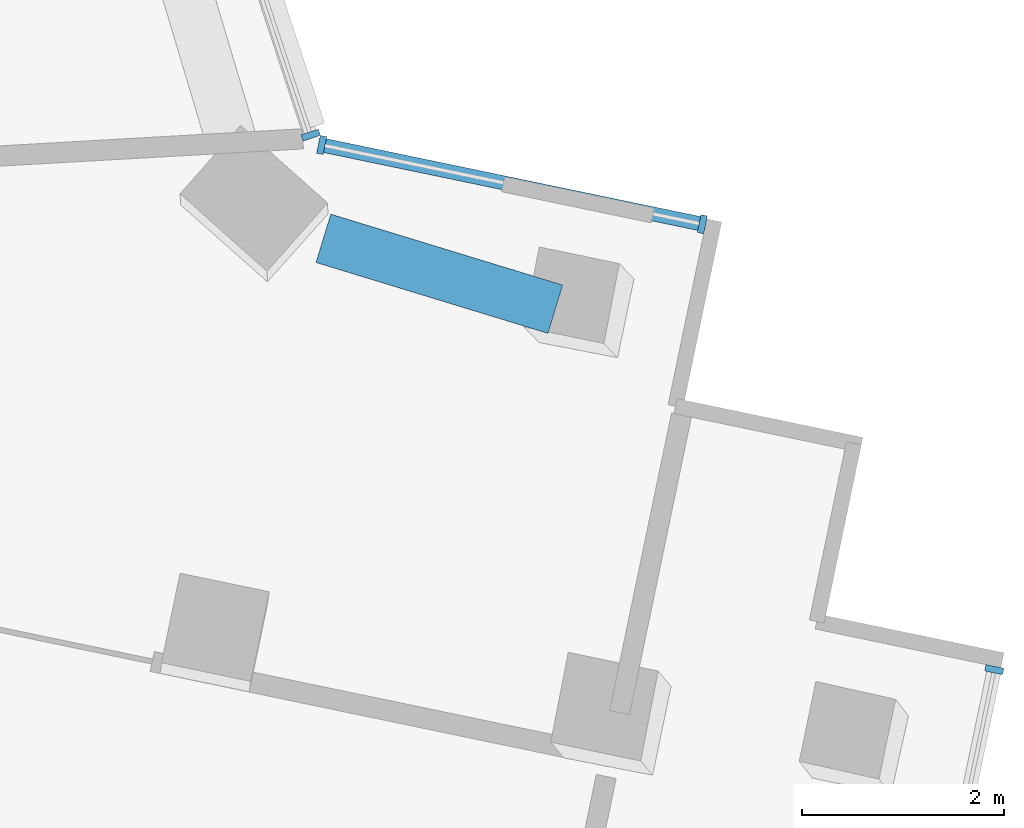
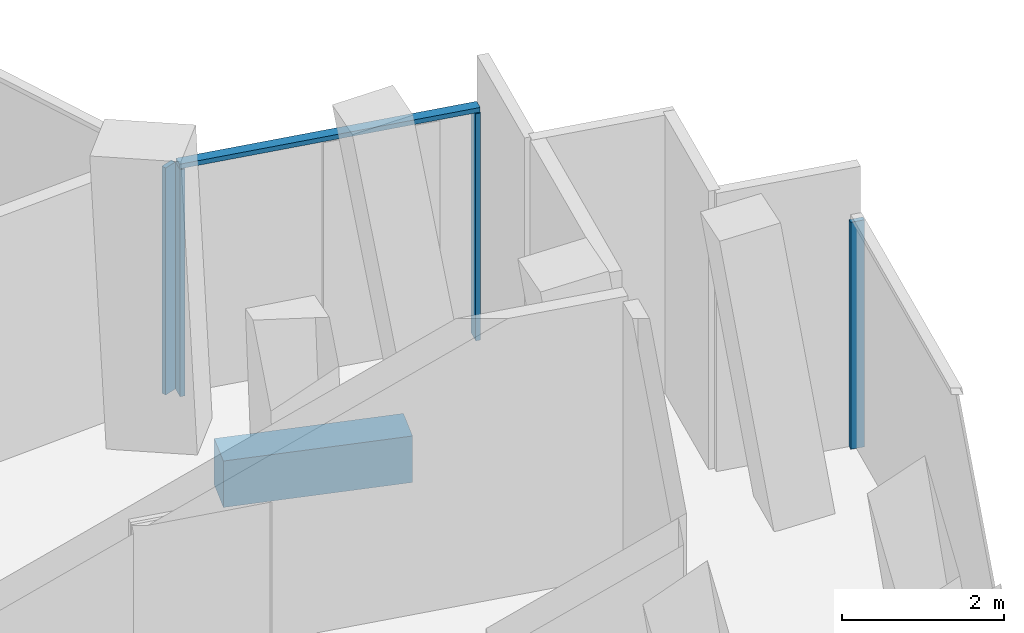
# One storey, part 6 of 21: 5 members, 1 beam, 3 elements without a shape of their own.
"""IFC4 building model written with IfcOpenShell, lengths in metres."""

from ifc_helpers import new_model, si_unit, direction, frame, origin, origin_2d, place, context, subcontext, project, spatial, rectangle, extrude, material, layer, layer_set, material_profile, profile_set, type_object, element, aggregate, save


model = new_model("IFC4")

# Units and contexts
model_context = context("Model", 3, precision=1e-05, world=origin(), true_north=direction((0.0, 1.0)))
body_context = subcontext(model_context, "Body", "Model", "MODEL_VIEW")
ifc_project = project(units=[si_unit("LENGTHUNIT", "METRE"), si_unit("AREAUNIT", "SQUARE_METRE"), si_unit("VOLUMEUNIT", "CUBIC_METRE"), si_unit("PLANEANGLEUNIT", "RADIAN"), si_unit("MASSUNIT", "GRAM", prefix="KILO")], contexts=[model_context])

# Site, building, storey
site_placement = place(None, origin())
site = spatial("IfcSite", under=ifc_project, at=site_placement, CompositionType="ELEMENT")
building_placement = place(site_placement, origin())
building = spatial("IfcBuilding", under=site, at=building_placement, Name="Verdalira Terraces Hotel", CompositionType="ELEMENT")
storey_placement = place(building_placement, frame((0.0, 0.0, 107.0)))
storey = spatial("IfcBuildingStorey", under=building, at=storey_placement, Name="L25", CompositionType="ELEMENT", Elevation=107.0)

# Curtain wall, member
ifc_material_1 = material(Name="Clear glass", Category="glass")
ifc_layer = layer(ifc_material_1, 0.179931640625)
ifc_layer_set = layer_set([ifc_layer], Name="CW4 curtain wall")
curtain_wall_type = type_object("IfcCurtainWallType", Name="CW4 curtain wall", PredefinedType="NOTDEFINED", material=ifc_layer_set)
curtain_wall_1_placement = place(storey_placement, origin())
curtain_wall_1 = element("IfcCurtainWall", 1, at=curtain_wall_1_placement, inside=storey, type_object=curtain_wall_type, Name="CW4 curtain wall L25 edge 33", PredefinedType="NOTDEFINED")
ifc_material_2 = material(Name="Terracotta frame", Category="masonry")
ifc_material_profile_1 = material_profile(ifc_material_2, rectangle(XDim=0.064941, YDim=0.179932, at=origin_2d()), Name="MU 65x180")
ifc_profile_set_1 = profile_set([ifc_material_profile_1], Name="Terracotta frame")
member_type_1 = type_object("IfcMemberType", Name="CW4 mullion 65x180", PredefinedType="MULLION", material=ifc_profile_set_1)
member_1_placement = place(storey_placement, frame((31.758301, -3.835693, 0.0), z_axis=(0.0, 0.0, 1.0), x_axis=(0.203812624, 0.979009915, 0.0)))
member_1 = element("IfcMember", 2, at=member_1_placement, type_object=member_type_1, Name="CW4 mullion", PredefinedType="MULLION", context=body_context, shape_type="SweptSolid", body=[
    extrude(rectangle(XDim=0.064941, YDim=0.179932, at=origin_2d()), origin(), (0.0, 0.0, 1.0), 3.419922),
])
aggregate(curtain_wall_1, [member_1])

# Curtain wall, members
curtain_wall_2_placement = place(storey_placement, origin())
curtain_wall_2 = element("IfcCurtainWall", 3, at=curtain_wall_2_placement, inside=storey, type_object=curtain_wall_type, Name="CW4 curtain wall L25 edge 38", PredefinedType="NOTDEFINED")
member_2_placement = place(storey_placement, frame((28.872559, 0.567383, 0.0), z_axis=(0.0, 0.0, 1.0), x_axis=(-0.979009915, 0.203812624, 0.0)))
member_2 = element("IfcMember", 4, at=member_2_placement, type_object=member_type_1, Name="CW4 mullion", PredefinedType="MULLION", context=body_context, shape_type="SweptSolid", body=[
    extrude(rectangle(XDim=0.064941, YDim=0.179932, at=origin_2d()), origin(), (0.0, 0.0, 1.0), 3.419922),
])
member_3_placement = place(storey_placement, frame((25.110596, 1.350586, 0.0), z_axis=(0.0, 0.0, 1.0), x_axis=(-0.979009915, 0.203812624, 0.0)))
member_3 = element("IfcMember", 5, at=member_3_placement, type_object=member_type_1, Name="CW4 mullion", PredefinedType="MULLION", context=body_context, shape_type="SweptSolid", body=[
    extrude(rectangle(XDim=0.064941, YDim=0.179932, at=origin_2d()), origin(), (0.0, 0.0, 1.0), 3.419922),
])

# Curtain wall, member
curtain_wall_3_placement = place(storey_placement, origin())
curtain_wall_3 = element("IfcCurtainWall", 6, at=curtain_wall_3_placement, inside=storey, type_object=curtain_wall_type, Name="CW4 curtain wall L25 edge 39", PredefinedType="NOTDEFINED")
member_4_placement = place(storey_placement, frame((25.001465, 1.447998, 0.0), z_axis=(0.0, 0.0, 1.0), x_axis=(-0.312998048, 0.949753769, 0.0)))
member_4 = element("IfcMember", 7, at=member_4_placement, type_object=member_type_1, Name="CW4 mullion", PredefinedType="MULLION", context=body_context, shape_type="SweptSolid", body=[
    extrude(rectangle(XDim=0.064941, YDim=0.179932, at=origin_2d()), origin(), (0.0, 0.0, 1.0), 3.419922),
])
aggregate(curtain_wall_3, [member_4])

# Member
ifc_material_3 = material(Name="Terracotta frame", Category="masonry")
ifc_material_profile_2 = material_profile(ifc_material_3, rectangle(XDim=0.139893, YDim=0.070068, at=origin_2d()), Name="TR 70x140")
ifc_profile_set_2 = profile_set([ifc_material_profile_2], Name="Terracotta frame")
member_type_2 = type_object("IfcMemberType", Name="CW4 transom 70x140", PredefinedType="USERDEFINED", material=ifc_profile_set_2)
member_5_placement = place(storey_placement, frame((28.904541, 0.560791, 3.455078), z_axis=(-0.979015228, 0.203787102, 0.0), x_axis=(-0.203787102, -0.979015228, 0.0)))
member_5 = element("IfcMember", 8, at=member_5_placement, type_object=member_type_2, Name="CW4 transom", ObjectType="TRANSOM", PredefinedType="USERDEFINED", context=body_context, shape_type="SweptSolid", body=[
    extrude(rectangle(XDim=0.139893, YDim=0.070068, at=origin_2d()), origin(), (0.0, 0.0, 1.0), 3.907959),
])

aggregate(curtain_wall_2, [member_2, member_3, member_5])

# Beam
ifc_material_4 = material(Name="Concrete C70", Category="concrete")
ifc_material_profile_3 = material_profile(ifc_material_4, rectangle(XDim=0.5, YDim=0.699951, at=origin_2d()), Name="RC 500X700")
ifc_profile_set_3 = profile_set([ifc_material_profile_3], Name="Concrete C70")
beam_type = type_object("IfcBeamType", Name="Spandrel beam RC 500X700 C70", PredefinedType="SPANDREL", material=ifc_profile_set_3)
beam_placement = place(storey_placement, frame((27.419678, -0.272949, -0.659912), z_axis=(-0.956356315, 0.29220301, 0.0), x_axis=(-0.29220301, -0.956356315, 0.0)))
element("IfcBeam", 9, at=beam_placement, inside=storey, type_object=beam_type, Name="Spandrel beam B23", PredefinedType="SPANDREL", context=body_context, shape_type="SweptSolid", body=[
    extrude(rectangle(XDim=0.5, YDim=0.699951, at=origin_2d()), origin(), (0.0, 0.0, 1.0), 2.397217),
])

save(model, "model.ifc")
